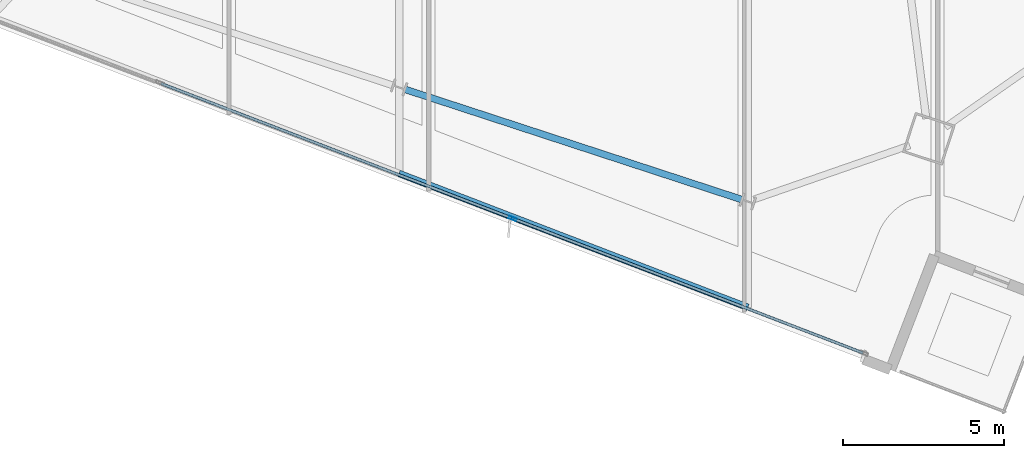
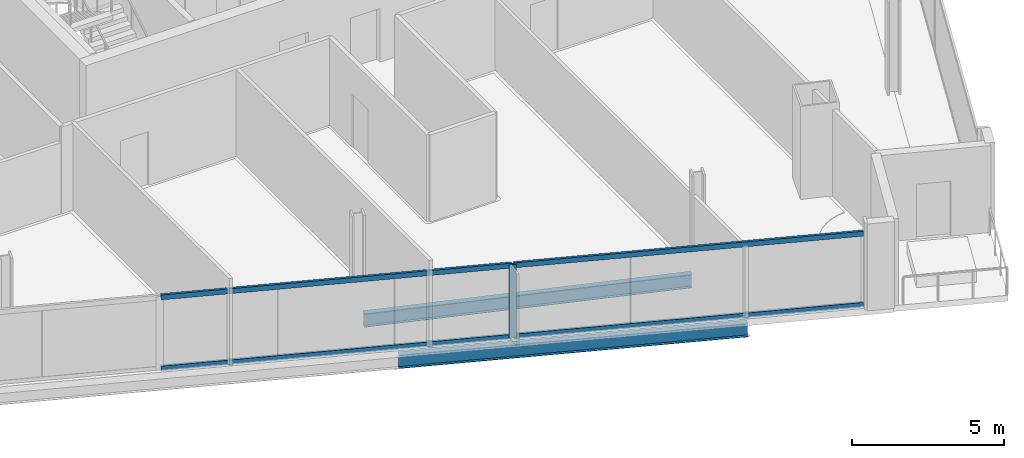
# One storey, part 3 of 27: 5 members, 2 beams, 1 element without a shape of its own.
"""IFC4 building model written with IfcOpenShell, lengths in metres."""

from ifc_helpers import new_model, si_unit, direction, frame, origin, origin_2d, place, context, subcontext, project, spatial, hollow_rectangle, i_section, extrude, material, material_profile, profile_set, type_object, element, aggregate, save


model = new_model("IFC4")

# Units and contexts
model_context = context("Model", 3, precision=1e-05, world=origin(), true_north=direction((0.0, 1.0)))
body_context = subcontext(model_context, "Body", "Model", "MODEL_VIEW")
ifc_project = project(units=[si_unit("LENGTHUNIT", "METRE"), si_unit("AREAUNIT", "SQUARE_METRE"), si_unit("VOLUMEUNIT", "CUBIC_METRE"), si_unit("PLANEANGLEUNIT", "RADIAN"), si_unit("MASSUNIT", "GRAM", prefix="KILO")], contexts=[model_context])

# Site, building, storey
site_placement = place(None, origin())
site = spatial("IfcSite", under=ifc_project, at=site_placement, CompositionType="ELEMENT")
building_placement = place(site_placement, origin())
building = spatial("IfcBuilding", under=site, at=building_placement, Name="Haldenkirk Collegiate Tower", CompositionType="ELEMENT")
storey_placement = place(building_placement, frame((0.0, 0.0, 259.949951171875)))
storey = spatial("IfcBuildingStorey", under=building, at=storey_placement, Name="L65", CompositionType="ELEMENT", Elevation=259.949951171875)

# Beams
ifc_material_1 = material(Name="Steel ASTM A992 Grade 50", Category="steel")
ifc_material_profile_1 = material_profile(ifc_material_1, i_section(OverallWidth=0.2099609375, OverallDepth=0.537109375, WebThickness=0.010986328125, FlangeThickness=0.017333984375, at=origin_2d()), Name="W21X68")
ifc_profile_set_1 = profile_set([ifc_material_profile_1], Name="Steel ASTM A992 Grade 50")
beam_type = type_object("IfcBeamType", Name="BM-SPANDREL-W21X68", PredefinedType="SPANDREL", material=ifc_profile_set_1)
beam_1_placement = place(storey_placement, frame((30.4755859375, 5.97509765625, -0.538330078125), z_axis=(0.95040429397, -0.311017166733, 0.0), x_axis=(0.311017166733, 0.95040429397, 0.0)))
element("IfcBeam", 1, at=beam_1_placement, inside=storey, type_object=beam_type, Name="L65 perimeter spandrel beam 15", PredefinedType="SPANDREL", context=body_context, shape_type="SweptSolid", body=[
    extrude(i_section(OverallWidth=0.2099609375, OverallDepth=0.537109375, WebThickness=0.010986328125, FlangeThickness=0.017333984375, at=origin_2d()), origin(), (0.0, 0.0, 1.0), 10.988037109375),
])
beam_2_placement = place(storey_placement, frame((30.283203125, 3.365478515625, -0.538330078125), z_axis=(0.933578692742, -0.358372466099, 0.0), x_axis=(0.358372466099, 0.933578692742, 0.0)))
element("IfcBeam", 2, at=beam_2_placement, inside=storey, type_object=beam_type, Name="L65 outer facade edge beam 4B", PredefinedType="SPANDREL", context=body_context, shape_type="SweptSolid", body=[
    extrude(i_section(OverallWidth=0.2099609375, OverallDepth=0.537109375, WebThickness=0.010986328125, FlangeThickness=0.017333984375, at=origin_2d()), origin(), (0.0, 0.0, 1.0), 11.59814453125),
])

# Curtain wall, members
ifc_material_2 = material(Name="Anodised architectural bronze aluminium", Category="aluminium")
curtain_wall_type = type_object("IfcCurtainWallType", Name="CW-SYS1B-CONVEX-HI", PredefinedType="USERDEFINED", material=ifc_material_2)
curtain_wall_placement = place(storey_placement, origin())
curtain_wall = element("IfcCurtainWall", 3, at=curtain_wall_placement, inside=storey, type_object=curtain_wall_type, Name="L65 Upper tower high-wind convex bronze unitised curtain wall", ObjectType="UNITISED CURTAIN WALL", PredefinedType="USERDEFINED")
ifc_material_profile_2 = material_profile(ifc_material_2, hollow_rectangle(XDim=0.0849609375, YDim=0.25, WallThickness=0.0048828125, at=origin_2d()), Name="CW-MUL-1B")
ifc_profile_set_2 = profile_set([ifc_material_profile_2], Name="Anodised architectural bronze aluminium")
member_type_1 = type_object("IfcMemberType", Name="CW-MUL-1B", PredefinedType="MULLION", material=ifc_profile_set_2)
member_1_placement = place(storey_placement, frame((33.80908203125, 1.968994140625, 0.0), z_axis=(0.0, 0.0, 1.0), x_axis=(-0.358369437176, -0.933579855448, 0.0)))
member_1 = element("IfcMember", 4, at=member_1_placement, type_object=member_type_1, Name="CW-1B mullion 2", PredefinedType="MULLION", context=body_context, shape_type="SweptSolid", body=[
    extrude(hollow_rectangle(XDim=0.0849609375, YDim=0.25, WallThickness=0.0048828125, at=origin_2d()), origin(), (0.0, 0.0, 1.0), 2.93798828125),
])
ifc_material_profile_3 = material_profile(ifc_material_2, hollow_rectangle(XDim=0.0849609375, YDim=0.199951171875, WallThickness=0.0048828125, at=origin_2d()), Name="CW-TRN-1B")
ifc_profile_set_3 = profile_set([ifc_material_profile_3], Name="Anodised architectural bronze aluminium")
member_type_2 = type_object("IfcMemberType", Name="CW-TRN-1B", PredefinedType="USERDEFINED", material=ifc_profile_set_3)
member_2_placement = place(storey_placement, frame((44.683837890625, -2.205322265625, 0.04248046875), z_axis=(-0.93357962329, 0.358370041964, 0.0), x_axis=(-0.358370041964, -0.93357962329, 0.0)))
member_2 = element("IfcMember", 5, at=member_2_placement, type_object=member_type_2, Name="CW-1B transom 1.1", ObjectType="TRANSOM", PredefinedType="USERDEFINED", context=body_context, shape_type="SweptSolid", body=[
    extrude(hollow_rectangle(XDim=0.0849609375, YDim=0.199951171875, WallThickness=0.0048828125, at=origin_2d()), origin(), (0.0, 0.0, 1.0), 11.605712890625),
])
member_3_placement = place(storey_placement, frame((44.683837890625, -2.205322265625, 2.8955078125), z_axis=(-0.93357962329, 0.358370041964, 0.0), x_axis=(-0.358370041964, -0.93357962329, 0.0)))
member_3 = element("IfcMember", 6, at=member_3_placement, type_object=member_type_2, Name="CW-1B transom 1.2", ObjectType="TRANSOM", PredefinedType="USERDEFINED", context=body_context, shape_type="SweptSolid", body=[
    extrude(hollow_rectangle(XDim=0.0849609375, YDim=0.199951171875, WallThickness=0.0048828125, at=origin_2d()), origin(), (0.0, 0.0, 1.0), 11.605712890625),
])
member_4_placement = place(storey_placement, frame((33.76953125, 1.984130859375, 0.04248046875), z_axis=(-0.933576609817, 0.358377892178, 0.0), x_axis=(-0.358377892178, -0.933576609817, 0.0)))
member_4 = element("IfcMember", 7, at=member_4_placement, type_object=member_type_2, Name="CW-1B transom 2.1", ObjectType="TRANSOM", PredefinedType="USERDEFINED", context=body_context, shape_type="SweptSolid", body=[
    extrude(hollow_rectangle(XDim=0.0849609375, YDim=0.199951171875, WallThickness=0.0048828125, at=origin_2d()), origin(), (0.0, 0.0, 1.0), 11.6484375),
])
member_5_placement = place(storey_placement, frame((33.76953125, 1.984130859375, 2.8955078125), z_axis=(-0.933576609817, 0.358377892178, 0.0), x_axis=(-0.358377892178, -0.933576609817, 0.0)))
member_5 = element("IfcMember", 8, at=member_5_placement, type_object=member_type_2, Name="CW-1B transom 2.2", ObjectType="TRANSOM", PredefinedType="USERDEFINED", context=body_context, shape_type="SweptSolid", body=[
    extrude(hollow_rectangle(XDim=0.0849609375, YDim=0.199951171875, WallThickness=0.0048828125, at=origin_2d()), origin(), (0.0, 0.0, 1.0), 11.6484375),
])
aggregate(curtain_wall, [member_1, member_2, member_3, member_4, member_5])

save(model, "model.ifc")
